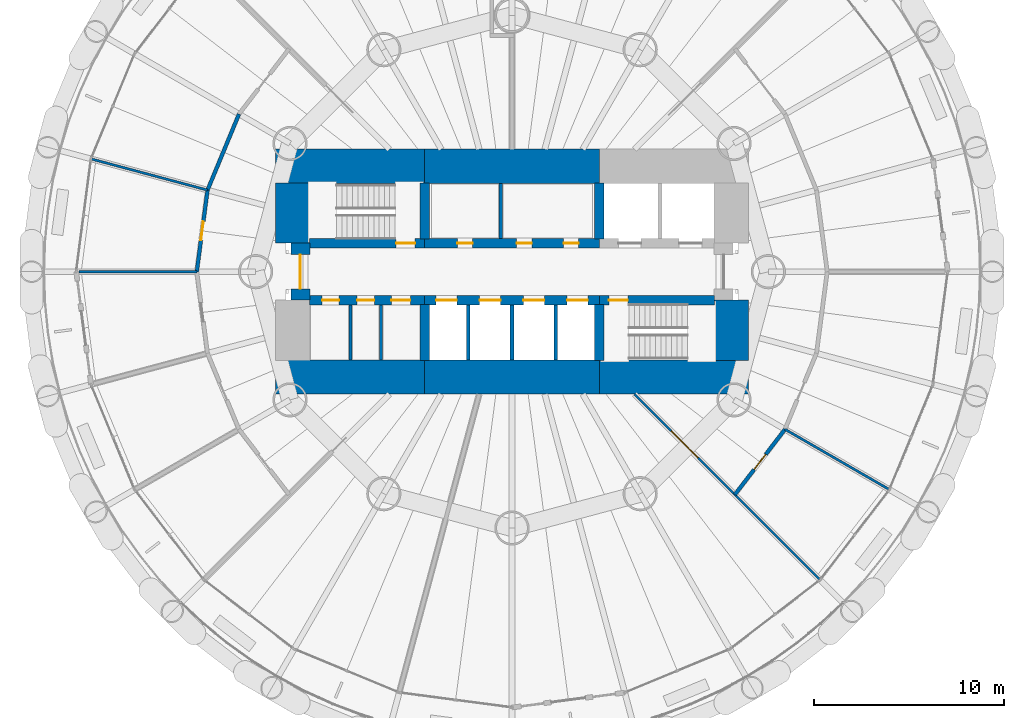
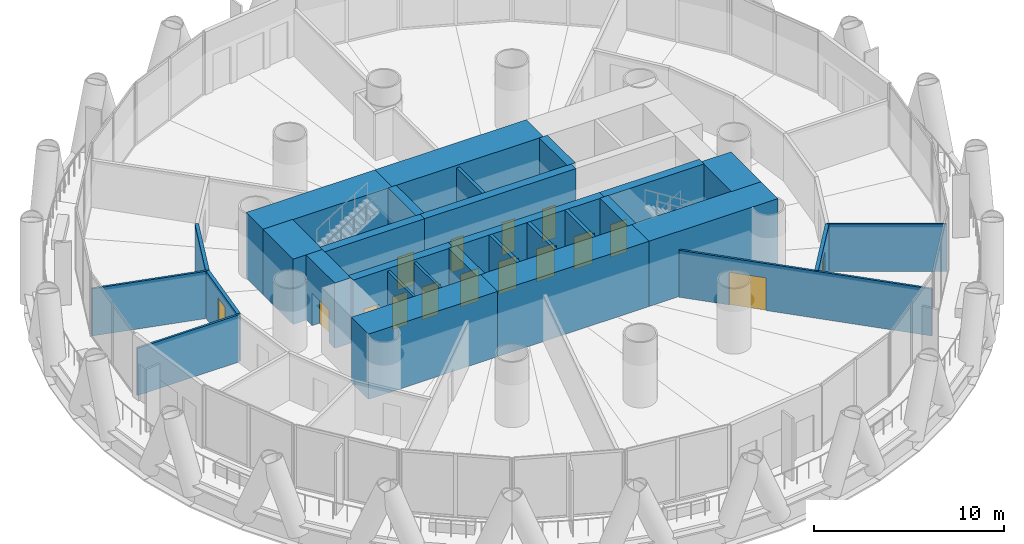
# One storey, part 10 of 16: 30 walls, 16 doors, 16 openings.
"""IFC4 building model written with IfcOpenShell, lengths in metres."""

from ifc_helpers import new_model, si_unit, direction, frame, frame_2d, origin, place, context, subcontext, project, spatial, rectangle, extrude, material, layer, layer_set, type_object, element, fill, save


model = new_model("IFC4")

# Units and contexts
model_context = context("Model", 3, precision=1e-05, world=origin(), true_north=direction((0.0, 1.0)))
body_context = subcontext(model_context, "Body", "Model", "MODEL_VIEW")
ifc_project = project(units=[si_unit("LENGTHUNIT", "METRE"), si_unit("AREAUNIT", "SQUARE_METRE"), si_unit("VOLUMEUNIT", "CUBIC_METRE"), si_unit("PLANEANGLEUNIT", "RADIAN"), si_unit("MASSUNIT", "GRAM", prefix="KILO")], contexts=[model_context])

# Site, building, storey
site_placement = place(None, origin())
site = spatial("IfcSite", under=ifc_project, at=site_placement, CompositionType="ELEMENT")
building_placement = place(site_placement, origin())
building = spatial("IfcBuilding", under=site, at=building_placement, Name="Qaws Media Tower", CompositionType="ELEMENT")
storey_placement = place(building_placement, frame((0.0, 0.0, 105.800048828125)))
storey = spatial("IfcBuildingStorey", under=building, at=storey_placement, Name="L23", CompositionType="ELEMENT", Elevation=105.800048828125)

# Wall, opening, door
ifc_material_1 = material(Name="Concrete C60/75", Category="concrete")
ifc_layer_1 = layer(ifc_material_1, 0.5)
ifc_layer_set_1 = layer_set([ifc_layer_1], Name="Core inner wall 500")
wall_type_1 = type_object("IfcWallType", Name="Core inner wall 500", PredefinedType="SHEAR", material=ifc_layer_set_1)
wall_1_placement = place(storey_placement, frame((49.330078125, 51.5, 0.0), z_axis=(0.0, 0.0, 1.0), x_axis=(1.0, 0.0, 0.0)))
wall_1 = element("IfcWall", 1, at=wall_1_placement, inside=storey, type_object=wall_type_1, Name="W339 SW12 core wall SPNW L23", PredefinedType="SHEAR", context=body_context, shape_type="SweptSolid", body=[
    extrude(rectangle(XDim=6.06982421875, YDim=0.5, at=frame_2d((3.034912109375, 0.0))), origin(), (0.0, 0.0, 1.0), 4.199951171875),
])
opening_1_placement = place(wall_1_placement, frame((4.570068359375, 0.0, 0.0)))
opening_1 = element("IfcOpeningElement", 2, at=opening_1_placement, cuts=wall_1, Name="Opening D1", PredefinedType="OPENING", context=body_context, shape_type="SweptSolid", body=[
    extrude(rectangle(XDim=1.0, YDim=2.10009765625, at=frame_2d((0.5, 1.050048828125))), frame((0.0, 0.260009765625, 0.0), z_axis=(0.0, -1.0, 0.0), x_axis=(1.0, 0.0, 0.0)), (0.0, 0.0, 1.0), 0.52001953125),
])
ifc_material_2 = material(Name="Steel, fire rated", Category="steel")
door_type_1 = type_object("IfcDoorType", Name="Stair door 1000 FD120", OperationType="SINGLE_SWING_LEFT", PredefinedType="DOOR", material=ifc_material_2)
door_1_placement = place(opening_1_placement, origin())
door_1 = element("IfcDoor", 3, at=door_1_placement, inside=storey, type_object=door_type_1, Name="D1 stair S1 door L23 in wall W339", OperationType="SINGLE_SWING_LEFT", OverallHeight=2.10009765625, OverallWidth=1.0, PredefinedType="DOOR", context=body_context, shape_type="SweptSolid", body=[
    extrude(rectangle(XDim=1.0, YDim=2.10009765625, at=frame_2d((0.5, 1.050048828125))), frame((0.0, 0.02490234375, 0.0), z_axis=(0.0, -1.0, 0.0), x_axis=(1.0, 0.0, 0.0)), (0.0, 0.0, 1.0), 0.050048828125),
])
fill(opening_1, door_1)

# Wall, openings, doors
wall_2_placement = place(storey_placement, frame((55.39990234375, 51.5, 0.0), z_axis=(0.0, 0.0, 1.0), x_axis=(1.0, 0.0, 0.0)))
wall_2 = element("IfcWall", 4, at=wall_2_placement, inside=storey, type_object=wall_type_1, Name="W332 SW12 core wall SPN L23", PredefinedType="SHEAR", context=body_context, shape_type="SweptSolid", body=[
    extrude(rectangle(XDim=9.2001953125, YDim=0.5, at=frame_2d((4.60009765625, 0.0))), origin(), (0.0, 0.0, 1.0), 4.199951171875),
])
opening_2_placement = place(wall_2_placement, frame((1.728515625, 0.0, 0.0)))
opening_2 = element("IfcOpeningElement", 5, at=opening_2_placement, cuts=wall_2, Name="Opening D23", PredefinedType="OPENING", context=body_context, shape_type="SweptSolid", body=[
    extrude(rectangle(XDim=0.800048828125, YDim=2.10009765625, at=frame_2d((0.39990234375, 1.050048828125))), frame((0.0, 0.260009765625, 0.0), z_axis=(0.0, -1.0, 0.0), x_axis=(1.0, 0.0, 0.0)), (0.0, 0.0, 1.0), 0.52001953125),
])
opening_3_placement = place(wall_2_placement, frame((4.842529296875, 0.0, 0.0)))
opening_3 = element("IfcOpeningElement", 6, at=opening_3_placement, cuts=wall_2, Name="Opening D23", PredefinedType="OPENING", context=body_context, shape_type="SweptSolid", body=[
    extrude(rectangle(XDim=0.800048828125, YDim=2.10009765625, at=frame_2d((0.39990234375, 1.050048828125))), frame((0.0, 0.260009765625, 0.0), z_axis=(0.0, -1.0, 0.0), x_axis=(1.0, 0.0, 0.0)), (0.0, 0.0, 1.0), 0.52001953125),
])
opening_4_placement = place(wall_2_placement, frame((7.314208984375, 0.0, 0.0)))
opening_4 = element("IfcOpeningElement", 7, at=opening_4_placement, cuts=wall_2, Name="Opening D23", PredefinedType="OPENING", context=body_context, shape_type="SweptSolid", body=[
    extrude(rectangle(XDim=0.800048828125, YDim=2.10009765625, at=frame_2d((0.39990234375, 1.050048828125))), frame((0.0, 0.260009765625, 0.0), z_axis=(0.0, -1.0, 0.0), x_axis=(1.0, 0.0, 0.0)), (0.0, 0.0, 1.0), 0.52001953125),
])
ifc_material_3 = material(Name="Steel, fire rated", Category="steel")
door_type_2 = type_object("IfcDoorType", Name="Core room door 800x2100", OperationType="SINGLE_SWING_LEFT", PredefinedType="DOOR", material=ifc_material_3)
door_2_placement = place(opening_2_placement, origin())
door_2 = element("IfcDoor", 8, at=door_2_placement, inside=storey, type_object=door_type_2, Name="D23 Gents toilets door L23 in wall W332", OperationType="SINGLE_SWING_LEFT", OverallHeight=2.10009765625, OverallWidth=0.800048828125, PredefinedType="DOOR", context=body_context, shape_type="SweptSolid", body=[
    extrude(rectangle(XDim=0.800048828125, YDim=2.10009765625, at=frame_2d((0.39990234375, 1.050048828125))), frame((0.0, 0.02490234375, 0.0), z_axis=(0.0, -1.0, 0.0), x_axis=(1.0, 0.0, 0.0)), (0.0, 0.0, 1.0), 0.050048828125),
])
fill(opening_2, door_2)
door_3_placement = place(opening_3_placement, origin())
door_3 = element("IfcDoor", 9, at=door_3_placement, inside=storey, type_object=door_type_2, Name="D23 Ladies toilets door L23 2 in wall W332", OperationType="SINGLE_SWING_LEFT", OverallHeight=2.10009765625, OverallWidth=0.800048828125, PredefinedType="DOOR", context=body_context, shape_type="SweptSolid", body=[
    extrude(rectangle(XDim=0.800048828125, YDim=2.10009765625, at=frame_2d((0.39990234375, 1.050048828125))), frame((0.0, 0.02490234375, 0.0), z_axis=(0.0, -1.0, 0.0), x_axis=(1.0, 0.0, 0.0)), (0.0, 0.0, 1.0), 0.050048828125),
])
fill(opening_3, door_3)
door_4_placement = place(opening_4_placement, origin())
door_4 = element("IfcDoor", 10, at=door_4_placement, inside=storey, type_object=door_type_2, Name="D23 Ladies toilets door L23 3 in wall W332", OperationType="SINGLE_SWING_LEFT", OverallHeight=2.10009765625, OverallWidth=0.800048828125, PredefinedType="DOOR", context=body_context, shape_type="SweptSolid", body=[
    extrude(rectangle(XDim=0.800048828125, YDim=2.10009765625, at=frame_2d((0.39990234375, 1.050048828125))), frame((0.0, 0.02490234375, 0.0), z_axis=(0.0, -1.0, 0.0), x_axis=(1.0, 0.0, 0.0)), (0.0, 0.0, 1.0), 0.050048828125),
])
fill(opening_4, door_4)

wall_3_placement = place(storey_placement, frame((49.330078125, 48.5, 0.0), z_axis=(0.0, 0.0, 1.0), x_axis=(1.0, 0.0, 0.0)))
wall_3 = element("IfcWall", 11, at=wall_3_placement, inside=storey, type_object=wall_type_1, Name="W338 SW12 core wall SPSW L23", PredefinedType="SHEAR", context=body_context, shape_type="SweptSolid", body=[
    extrude(rectangle(XDim=6.06982421875, YDim=0.5, at=frame_2d((3.034912109375, 0.0))), origin(), (0.0, 0.0, 1.0), 4.199951171875),
])
opening_5_placement = place(wall_3_placement, frame((0.669921875, 0.0, 0.0)))
opening_5 = element("IfcOpeningElement", 12, at=opening_5_placement, cuts=wall_3, Name="Opening D3", PredefinedType="OPENING", context=body_context, shape_type="SweptSolid", body=[
    extrude(rectangle(XDim=0.89990234375, YDim=2.10009765625, at=frame_2d((0.449951171875, 1.050048828125))), frame((0.0, 0.260009765625, 0.0), z_axis=(0.0, -1.0, 0.0), x_axis=(1.0, 0.0, 0.0)), (0.0, 0.0, 1.0), 0.52001953125),
])
opening_6_placement = place(wall_3_placement, frame((2.52001953125, 0.0, 0.0)))
opening_6 = element("IfcOpeningElement", 13, at=opening_6_placement, cuts=wall_3, Name="Opening D25", PredefinedType="OPENING", context=body_context, shape_type="SweptSolid", body=[
    extrude(rectangle(XDim=0.89990234375, YDim=2.10009765625, at=frame_2d((0.449951171875, 1.050048828125))), frame((0.0, 0.260009765625, 0.0), z_axis=(0.0, -1.0, 0.0), x_axis=(1.0, 0.0, 0.0)), (0.0, 0.0, 1.0), 0.52001953125),
])
opening_7_placement = place(wall_3_placement, frame((4.320068359375, 0.0, 0.0)))
opening_7 = element("IfcOpeningElement", 14, at=opening_7_placement, cuts=wall_3, Name="Opening D4", PredefinedType="OPENING", context=body_context, shape_type="SweptSolid", body=[
    extrude(rectangle(XDim=1.0, YDim=2.10009765625, at=frame_2d((0.5, 1.050048828125))), frame((0.0, 0.260009765625, 0.0), z_axis=(0.0, -1.0, 0.0), x_axis=(1.0, 0.0, 0.0)), (0.0, 0.0, 1.0), 0.52001953125),
])
ifc_material_4 = material(Name="Timber veneered", Category="wood")
door_type_3 = type_object("IfcDoorType", Name="Accessible WC door 1000", OperationType="SLIDING_TO_LEFT", PredefinedType="DOOR", material=ifc_material_4)
door_5_placement = place(opening_7_placement, origin())
door_5 = element("IfcDoor", 15, at=door_5_placement, inside=storey, type_object=door_type_3, Name="D4 toilet door 3 L23 in wall W338", OperationType="SLIDING_TO_LEFT", OverallHeight=2.10009765625, OverallWidth=1.0, PredefinedType="DOOR", context=body_context, shape_type="SweptSolid", body=[
    extrude(rectangle(XDim=1.0, YDim=2.10009765625, at=frame_2d((0.5, 1.050048828125))), frame((0.0, 0.02490234375, 0.0), z_axis=(0.0, -1.0, 0.0), x_axis=(1.0, 0.0, 0.0)), (0.0, 0.0, 1.0), 0.050048828125),
])
fill(opening_7, door_5)
ifc_material_5 = material(Name="Steel, fire rated", Category="steel")
door_type_4 = type_object("IfcDoorType", Name="Core service door 900", OperationType="SINGLE_SWING_RIGHT", PredefinedType="DOOR", material=ifc_material_5)
door_6_placement = place(opening_6_placement, origin())
door_6 = element("IfcDoor", 16, at=door_6_placement, inside=storey, type_object=door_type_4, Name="D25 toilet door 2 L23 in wall W338", OperationType="SINGLE_SWING_RIGHT", OverallHeight=2.10009765625, OverallWidth=0.89990234375, PredefinedType="DOOR", context=body_context, shape_type="SweptSolid", body=[
    extrude(rectangle(XDim=0.89990234375, YDim=2.10009765625, at=frame_2d((0.449951171875, 1.050048828125))), frame((0.0, 0.02490234375, 0.0), z_axis=(0.0, -1.0, 0.0), x_axis=(1.0, 0.0, 0.0)), (0.0, 0.0, 1.0), 0.050048828125),
])
fill(opening_6, door_6)
ifc_material_6 = material(Name="Timber veneered", Category="wood")
door_type_5 = type_object("IfcDoorType", Name="Toilet door 900", OperationType="SINGLE_SWING_RIGHT", PredefinedType="DOOR", material=ifc_material_6)
door_7_placement = place(opening_5_placement, origin())
door_7 = element("IfcDoor", 17, at=door_7_placement, inside=storey, type_object=door_type_5, Name="D3 toilet door 1 L23 in wall W338", OperationType="SINGLE_SWING_RIGHT", OverallHeight=2.10009765625, OverallWidth=0.89990234375, PredefinedType="DOOR", context=body_context, shape_type="SweptSolid", body=[
    extrude(rectangle(XDim=0.89990234375, YDim=2.10009765625, at=frame_2d((0.449951171875, 1.050048828125))), frame((0.0, 0.02490234375, 0.0), z_axis=(0.0, -1.0, 0.0), x_axis=(1.0, 0.0, 0.0)), (0.0, 0.0, 1.0), 0.050048828125),
])
fill(opening_5, door_7)

wall_4_placement = place(storey_placement, frame((55.39990234375, 48.5, 0.0), z_axis=(0.0, 0.0, 1.0), x_axis=(1.0, 0.0, 0.0)))
wall_4 = element("IfcWall", 18, at=wall_4_placement, inside=storey, type_object=wall_type_1, Name="W331 SW12 core wall SPS L23", PredefinedType="SHEAR", context=body_context, shape_type="SweptSolid", body=[
    extrude(rectangle(XDim=9.2001953125, YDim=0.5, at=frame_2d((4.60009765625, 0.0))), origin(), (0.0, 0.0, 1.0), 4.199951171875),
])
opening_8_placement = place(wall_4_placement, frame((0.60009765625, 0.0, 0.0)))
opening_8 = element("IfcOpeningElement", 19, at=opening_8_placement, cuts=wall_4, Name="Opening LD", PredefinedType="OPENING", context=body_context, shape_type="SweptSolid", body=[
    extrude(rectangle(XDim=1.10009765625, YDim=2.10009765625, at=frame_2d((0.550048828125, 1.050048828125))), frame((0.0, 0.260009765625, 0.0), z_axis=(0.0, -1.0, 0.0), x_axis=(1.0, 0.0, 0.0)), (0.0, 0.0, 1.0), 0.52001953125),
])
opening_9_placement = place(wall_4_placement, frame((2.89990234375, 0.0, 0.0)))
opening_9 = element("IfcOpeningElement", 20, at=opening_9_placement, cuts=wall_4, Name="Opening LD", PredefinedType="OPENING", context=body_context, shape_type="SweptSolid", body=[
    extrude(rectangle(XDim=1.10009765625, YDim=2.10009765625, at=frame_2d((0.550048828125, 1.050048828125))), frame((0.0, 0.260009765625, 0.0), z_axis=(0.0, -1.0, 0.0), x_axis=(1.0, 0.0, 0.0)), (0.0, 0.0, 1.0), 0.52001953125),
])
opening_10_placement = place(wall_4_placement, frame((5.199951171875, 0.0, 0.0)))
opening_10 = element("IfcOpeningElement", 21, at=opening_10_placement, cuts=wall_4, Name="Opening LD", PredefinedType="OPENING", context=body_context, shape_type="SweptSolid", body=[
    extrude(rectangle(XDim=1.10009765625, YDim=2.10009765625, at=frame_2d((0.550048828125, 1.050048828125))), frame((0.0, 0.260009765625, 0.0), z_axis=(0.0, -1.0, 0.0), x_axis=(1.0, 0.0, 0.0)), (0.0, 0.0, 1.0), 0.52001953125),
])
opening_11_placement = place(wall_4_placement, frame((7.5, 0.0, 0.0)))
opening_11 = element("IfcOpeningElement", 22, at=opening_11_placement, cuts=wall_4, Name="Opening LD", PredefinedType="OPENING", context=body_context, shape_type="SweptSolid", body=[
    extrude(rectangle(XDim=1.10009765625, YDim=2.10009765625, at=frame_2d((0.550048828125, 1.050048828125))), frame((0.0, 0.260009765625, 0.0), z_axis=(0.0, -1.0, 0.0), x_axis=(1.0, 0.0, 0.0)), (0.0, 0.0, 1.0), 0.52001953125),
])
ifc_material_7 = material(Name="Steel, fire rated", Category="steel")
door_type_6 = type_object("IfcDoorType", Name="Lift landing door 1100", OperationType="SLIDING_TO_LEFT", PredefinedType="DOOR", material=ifc_material_7)
door_8_placement = place(opening_8_placement, origin())
door_8 = element("IfcDoor", 23, at=door_8_placement, inside=storey, type_object=door_type_6, Name="P5 landing door L23 in wall W331", OperationType="SLIDING_TO_LEFT", OverallHeight=2.10009765625, OverallWidth=1.10009765625, PredefinedType="DOOR", context=body_context, shape_type="SweptSolid", body=[
    extrude(rectangle(XDim=1.10009765625, YDim=2.10009765625, at=frame_2d((0.550048828125, 1.050048828125))), frame((0.0, 0.02490234375, 0.0), z_axis=(0.0, -1.0, 0.0), x_axis=(1.0, 0.0, 0.0)), (0.0, 0.0, 1.0), 0.050048828125),
])
fill(opening_8, door_8)
door_9_placement = place(opening_9_placement, origin())
door_9 = element("IfcDoor", 24, at=door_9_placement, inside=storey, type_object=door_type_6, Name="P6 landing door L23 in wall W331", OperationType="SLIDING_TO_LEFT", OverallHeight=2.10009765625, OverallWidth=1.10009765625, PredefinedType="DOOR", context=body_context, shape_type="SweptSolid", body=[
    extrude(rectangle(XDim=1.10009765625, YDim=2.10009765625, at=frame_2d((0.550048828125, 1.050048828125))), frame((0.0, 0.02490234375, 0.0), z_axis=(0.0, -1.0, 0.0), x_axis=(1.0, 0.0, 0.0)), (0.0, 0.0, 1.0), 0.050048828125),
])
fill(opening_9, door_9)
door_10_placement = place(opening_10_placement, origin())
door_10 = element("IfcDoor", 25, at=door_10_placement, inside=storey, type_object=door_type_6, Name="P7 landing door L23 in wall W331", OperationType="SLIDING_TO_LEFT", OverallHeight=2.10009765625, OverallWidth=1.10009765625, PredefinedType="DOOR", context=body_context, shape_type="SweptSolid", body=[
    extrude(rectangle(XDim=1.10009765625, YDim=2.10009765625, at=frame_2d((0.550048828125, 1.050048828125))), frame((0.0, 0.02490234375, 0.0), z_axis=(0.0, -1.0, 0.0), x_axis=(1.0, 0.0, 0.0)), (0.0, 0.0, 1.0), 0.050048828125),
])
fill(opening_10, door_10)
door_11_placement = place(opening_11_placement, origin())
door_11 = element("IfcDoor", 26, at=door_11_placement, inside=storey, type_object=door_type_6, Name="P8 landing door L23 in wall W331", OperationType="SLIDING_TO_LEFT", OverallHeight=2.10009765625, OverallWidth=1.10009765625, PredefinedType="DOOR", context=body_context, shape_type="SweptSolid", body=[
    extrude(rectangle(XDim=1.10009765625, YDim=2.10009765625, at=frame_2d((0.550048828125, 1.050048828125))), frame((0.0, 0.02490234375, 0.0), z_axis=(0.0, -1.0, 0.0), x_axis=(1.0, 0.0, 0.0)), (0.0, 0.0, 1.0), 0.050048828125),
])
fill(opening_11, door_11)

# Wall, opening, door
wall_5_placement = place(storey_placement, frame((64.60009765625, 48.5, 0.0), z_axis=(0.0, 0.0, 1.0), x_axis=(1.0, 0.0, 0.0)))
wall_5 = element("IfcWall", 27, at=wall_5_placement, inside=storey, type_object=wall_type_1, Name="W343 SW12 core wall SPSE L23", PredefinedType="SHEAR", context=body_context, shape_type="SweptSolid", body=[
    extrude(rectangle(XDim=6.06982421875, YDim=0.5, at=frame_2d((3.034912109375, 0.0))), origin(), (0.0, 0.0, 1.0), 4.199951171875),
])
opening_12_placement = place(wall_5_placement, frame((0.5, 0.0, 0.0)))
opening_12 = element("IfcOpeningElement", 28, at=opening_12_placement, cuts=wall_5, Name="Opening D1", PredefinedType="OPENING", context=body_context, shape_type="SweptSolid", body=[
    extrude(rectangle(XDim=1.0, YDim=2.10009765625, at=frame_2d((0.5, 1.050048828125))), frame((0.0, 0.260009765625, 0.0), z_axis=(0.0, -1.0, 0.0), x_axis=(1.0, 0.0, 0.0)), (0.0, 0.0, 1.0), 0.52001953125),
])
door_12_placement = place(opening_12_placement, origin())
door_12 = element("IfcDoor", 29, at=door_12_placement, inside=storey, type_object=door_type_1, Name="D1 stair S2 door L23 in wall W343", OperationType="SINGLE_SWING_LEFT", OverallHeight=2.10009765625, OverallWidth=1.0, PredefinedType="DOOR", context=body_context, shape_type="SweptSolid", body=[
    extrude(rectangle(XDim=1.0, YDim=2.10009765625, at=frame_2d((0.5, 1.050048828125))), frame((0.0, 0.02490234375, 0.0), z_axis=(0.0, -1.0, 0.0), x_axis=(1.0, 0.0, 0.0)), (0.0, 0.0, 1.0), 0.050048828125),
])
fill(opening_12, door_12)

# Walls
for number, where, z_axis, x_axis, name in (
    (30, (55.39990234375, 51.72998046875, 0.0), (0.0, 0.0, 1.0), (0.0, 1.0, 0.0), "W341 SW12 core wall XNW L23"),
    (31, (64.60009765625, 51.72998046875, 0.0), (0.0, 0.0, 1.0), (0.0, 1.0, 0.0), "W345 SW12 core wall XNE L23"),
    (32, (55.39990234375, 48.27001953125, 0.0), (0.0, 0.0, 1.0), (0.0, -1.0, 0.0), "W340 SW12 core wall XSW L23"),
    (33, (64.60009765625, 48.27001953125, 0.0), (0.0, 0.0, 1.0), (0.0, -1.0, 0.0), "W342 SW12 core wall XSE L23"),
):
    element("IfcWall", number, at=place(storey_placement, frame(where, z_axis=z_axis, x_axis=x_axis)), inside=storey, type_object=wall_type_1, Name=name, PredefinedType="SHEAR", context=body_context, shape_type="SweptSolid", body=[
        extrude(rectangle(XDim=2.93994140625, YDim=0.5, at=frame_2d((1.469970703125, 0.0))), origin(), (0.0, 0.0, 1.0), 4.199951171875),
    ])

# Wall, opening, door
ifc_material_8 = material(Name="Concrete C60/75", Category="concrete")
ifc_layer_2 = layer(ifc_material_8, 1.0)
ifc_layer_set_2 = layer_set([ifc_layer_2], Name="Core wall 1000")
wall_type_2 = type_object("IfcWallType", Name="Core wall 1000", PredefinedType="SHEAR", material=ifc_layer_set_2)
wall_6_placement = place(storey_placement, frame((48.85009765625, 48.5, 0.0), z_axis=(0.0, 0.0, 1.0), x_axis=(0.0, 1.0, 0.0)))
wall_6 = element("IfcWall", 34, at=wall_6_placement, inside=storey, type_object=wall_type_2, Name="W366 SW8 core wall W L23", PredefinedType="SHEAR", context=body_context, shape_type="SweptSolid", body=[
    extrude(rectangle(XDim=3.0, YDim=1.0, at=frame_2d((1.5, 0.0))), origin(), (0.0, 0.0, 1.0), 4.199951171875),
])
opening_13_placement = place(wall_6_placement, frame((0.60009765625, 0.0, 0.0)))
opening_13 = element("IfcOpeningElement", 35, at=opening_13_placement, cuts=wall_6, Name="Opening D2", PredefinedType="OPENING", context=body_context, shape_type="SweptSolid", body=[
    extrude(rectangle(XDim=1.800048828125, YDim=2.10009765625, at=frame_2d((0.89990234375, 1.050048828125))), frame((0.0, 0.510009765625, 0.0), z_axis=(0.0, -1.0, 0.0), x_axis=(1.0, 0.0, 0.0)), (0.0, 0.0, 1.0), 1.02001953125),
])
ifc_material_9 = material(Name="Steel and glass, fire rated", Category="steel")
door_type_7 = type_object("IfcDoorType", Name="Lobby door pair 1800 FD60", OperationType="DOUBLE_DOOR_DOUBLE_SWING", PredefinedType="DOOR", material=ifc_material_9)
door_13_placement = place(opening_13_placement, origin())
door_13 = element("IfcDoor", 36, at=door_13_placement, inside=storey, type_object=door_type_7, Name="D2 core lobby door W L23 in wall W366", OperationType="DOUBLE_DOOR_DOUBLE_SWING", OverallHeight=2.10009765625, OverallWidth=1.800048828125, PredefinedType="DOOR", context=body_context, shape_type="SweptSolid", body=[
    extrude(rectangle(XDim=1.800048828125, YDim=2.10009765625, at=frame_2d((0.89990234375, 1.050048828125))), frame((0.0, 0.02490234375, 0.0), z_axis=(0.0, -1.0, 0.0), x_axis=(1.0, 0.0, 0.0)), (0.0, 0.0, 1.0), 0.050048828125),
])
fill(opening_13, door_13)

# Walls
ifc_material_10 = material(Name="Concrete C60/75", Category="concrete")
ifc_layer_3 = layer(ifc_material_10, 1.800048828125)
ifc_layer_set_3 = layer_set([ifc_layer_3], Name="Core wall 1800")
wall_type_3 = type_object("IfcWallType", Name="Core wall 1800", PredefinedType="SHEAR", material=ifc_layer_set_3)
wall_7_placement = place(storey_placement, frame((47.550048828125, 55.550048828125, 0.0), z_axis=(0.0, 0.0, 1.0), x_axis=(1.0, 0.0, 0.0)))
element("IfcWall", 37, at=wall_7_placement, inside=storey, type_object=wall_type_3, Name="W417 SW11 core wall NW L23", PredefinedType="SHEAR", context=body_context, shape_type="SweptSolid", body=[
    extrude(rectangle(XDim=7.849853515625, YDim=1.800048828125, at=frame_2d((3.9248046875, 0.0))), origin(), (0.0, 0.0, 1.0), 4.199951171875),
])
wall_8_placement = place(storey_placement, frame((55.39990234375, 55.550048828125, 0.0), z_axis=(0.0, 0.0, 1.0), x_axis=(1.0, 0.0, 0.0)))
element("IfcWall", 38, at=wall_8_placement, inside=storey, type_object=wall_type_3, Name="W421 SW11 core wall N L23", PredefinedType="SHEAR", context=body_context, shape_type="SweptSolid", body=[
    extrude(rectangle(XDim=9.2001953125, YDim=1.800048828125, at=frame_2d((4.60009765625, 0.0))), origin(), (0.0, 0.0, 1.0), 4.199951171875),
])
wall_9_placement = place(storey_placement, frame((47.550048828125, 44.449951171875, 0.0), z_axis=(0.0, 0.0, 1.0), x_axis=(1.0, 0.0, 0.0)))
element("IfcWall", 39, at=wall_9_placement, inside=storey, type_object=wall_type_3, Name="W416 SW11 core wall SW L23", PredefinedType="SHEAR", context=body_context, shape_type="SweptSolid", body=[
    extrude(rectangle(XDim=7.849853515625, YDim=1.800048828125, at=frame_2d((3.9248046875, 0.0))), origin(), (0.0, 0.0, 1.0), 4.199951171875),
])
wall_10_placement = place(storey_placement, frame((55.39990234375, 44.449951171875, 0.0), z_axis=(0.0, 0.0, 1.0), x_axis=(1.0, 0.0, 0.0)))
element("IfcWall", 40, at=wall_10_placement, inside=storey, type_object=wall_type_3, Name="W420 SW11 core wall S L23", PredefinedType="SHEAR", context=body_context, shape_type="SweptSolid", body=[
    extrude(rectangle(XDim=9.2001953125, YDim=1.800048828125, at=frame_2d((4.60009765625, 0.0))), origin(), (0.0, 0.0, 1.0), 4.199951171875),
])
wall_11_placement = place(storey_placement, frame((64.60009765625, 44.449951171875, 0.0), z_axis=(0.0, 0.0, 1.0), x_axis=(1.0, 0.0, 0.0)))
element("IfcWall", 41, at=wall_11_placement, inside=storey, type_object=wall_type_3, Name="W422 SW11 core wall SE L23", PredefinedType="SHEAR", context=body_context, shape_type="SweptSolid", body=[
    extrude(rectangle(XDim=7.849853515625, YDim=1.800048828125, at=frame_2d((3.9248046875, 0.0))), origin(), (0.0, 0.0, 1.0), 4.199951171875),
])
for number, where, z_axis, x_axis, name in (
    (42, (71.550048828125, 45.330078125, 0.0), (0.0, 0.0, 1.0), (0.0, 1.0, 0.0), "W424 SW11 core wall ES L23"),
    (43, (48.449951171875, 51.5, 0.0), (0.0, 0.0, 1.0), (0.0, 1.0, 0.0), "W419 SW11 core wall WN L23"),
):
    element("IfcWall", number, at=place(storey_placement, frame(where, z_axis=z_axis, x_axis=x_axis)), inside=storey, type_object=wall_type_3, Name=name, PredefinedType="SHEAR", context=body_context, shape_type="SweptSolid", body=[
        extrude(rectangle(XDim=3.169921875, YDim=1.800048828125, at=frame_2d((1.5849609375, 0.0))), origin(), (0.0, 0.0, 1.0), 4.199951171875),
    ])
ifc_material_11 = material(Name="Two layers gypsum board each side on 75 studs, insulated", Category="gypsum")
ifc_layer_4 = layer(ifc_material_11, 0.125)
ifc_layer_set_4 = layer_set([ifc_layer_4], Name="Meeting room partition 125 Rw 48")
wall_type_4 = type_object("IfcWallType", Name="Meeting room partition 125 Rw 48", PredefinedType="PARTITIONING", material=ifc_layer_set_4)
wall_12_placement = place(storey_placement, frame((43.965576171875, 54.29638671875, 0.0), z_axis=(0.0, 0.0, 1.0), x_axis=(-0.965929227068, 0.258806352888, 0.0)))
element("IfcWall", 44, at=wall_12_placement, inside=storey, type_object=wall_type_4, Name="W537 IW5 partition L23", PredefinedType="PARTITIONING", context=body_context, shape_type="SweptSolid", body=[
    extrude(rectangle(XDim=6.31005859375, YDim=0.125, at=frame_2d((3.155029296875, 0.0))), origin(), (0.0, 0.0, 1.0), 3.0400390625),
])
wall_13_placement = place(storey_placement, frame((43.39990234375, 50.0, 0.0), z_axis=(0.0, 0.0, 1.0), x_axis=(-1.0, 0.0, 0.0)))
element("IfcWall", 45, at=wall_13_placement, inside=storey, type_object=wall_type_4, Name="W536 IW5 partition L23", PredefinedType="PARTITIONING", context=body_context, shape_type="SweptSolid", body=[
    extrude(rectangle(XDim=6.2099609375, YDim=0.125, at=frame_2d((3.10498046875, 0.0))), origin(), (0.0, 0.0, 1.0), 3.0400390625),
])

# Wall, opening, door
wall_14_placement = place(storey_placement, frame((66.449951171875, 43.550048828125, 0.0), z_axis=(0.0, 0.0, 1.0), x_axis=(0.707106781187, -0.707106781187, 0.0)))
wall_14 = element("IfcWall", 46, at=wall_14_placement, inside=storey, type_object=wall_type_4, Name="W538 IW5 partition L23", PredefinedType="PARTITIONING", context=body_context, shape_type="SweptSolid", body=[
    extrude(rectangle(XDim=13.788330078125, YDim=0.125, at=frame_2d((6.89404296875, 0.0))), origin(), (0.0, 0.0, 1.0), 3.02001953125),
])
opening_14_placement = place(wall_14_placement, frame((2.7392578125, 0.0, 0.0)))
opening_14 = element("IfcOpeningElement", 47, at=opening_14_placement, cuts=wall_14, Name="Opening D6", PredefinedType="OPENING", context=body_context, shape_type="SweptSolid", body=[
    extrude(rectangle(XDim=2.0, YDim=2.10009765625, at=frame_2d((1.0, 1.050048828125))), frame((0.0, 0.072509765625, 0.0), z_axis=(0.0, -1.0, 0.0), x_axis=(1.0, 0.0, 0.0)), (0.0, 0.0, 1.0), 0.14501953125),
])
ifc_material_12 = material(Name="Steel, acoustic, fire rated", Category="steel")
door_type_8 = type_object("IfcDoorType", Name="Room door pair 2000", OperationType="DOUBLE_DOOR_DOUBLE_SWING", PredefinedType="DOOR", material=ifc_material_12)
door_14_placement = place(opening_14_placement, origin())
door_14 = element("IfcDoor", 48, at=door_14_placement, inside=storey, type_object=door_type_8, Name="D6 Staff clinic door L23 in wall W538", OperationType="DOUBLE_DOOR_DOUBLE_SWING", OverallHeight=2.10009765625, OverallWidth=2.0, PredefinedType="DOOR", context=body_context, shape_type="SweptSolid", body=[
    extrude(rectangle(XDim=2.0, YDim=2.10009765625, at=frame_2d((1.0, 1.050048828125))), frame((0.0, 0.02490234375, 0.0), z_axis=(0.0, -1.0, 0.0), x_axis=(1.0, 0.0, 0.0)), (0.0, 0.0, 1.0), 0.050048828125),
])
fill(opening_14, door_14)

# Wall
wall_15_placement = place(storey_placement, frame((74.3759765625, 41.699951171875, 0.0), z_axis=(0.0, 0.0, 1.0), x_axis=(0.866022573651, -0.500004901903, 0.0)))
element("IfcWall", 49, at=wall_15_placement, inside=storey, type_object=wall_type_4, Name="W539 IW5 partition L23", PredefinedType="PARTITIONING", context=body_context, shape_type="SweptSolid", body=[
    extrude(rectangle(XDim=6.31005859375, YDim=0.125, at=frame_2d((3.155029296875, 0.0))), origin(), (0.0, 0.0, 1.0), 3.0400390625),
])

# Wall, opening, door
ifc_material_13 = material(Name="Gypsum board on galvanised metal studs, acoustic double stud, deflection head", Category="gypsum")
ifc_layer_5 = layer(ifc_material_13, 0.199951171875)
ifc_layer_set_5 = layer_set([ifc_layer_5], Name="Room partition 200")
wall_type_5 = type_object("IfcWallType", Name="Room partition 200", PredefinedType="PARTITIONING", material=ifc_layer_set_5)
wall_16_placement = place(storey_placement, frame((43.39990234375, 50.0, 0.0), z_axis=(0.0, 0.0, 1.0), x_axis=(0.130536124221, 0.99144355375, 0.0)))
wall_16 = element("IfcWall", 50, at=wall_16_placement, inside=storey, type_object=wall_type_5, Name="W985 IW3 partition L23", PredefinedType="PARTITIONING", context=body_context, shape_type="SweptSolid", body=[
    extrude(rectangle(XDim=4.33349609375, YDim=0.199951171875, at=frame_2d((2.166748046875, 0.0))), origin(), (0.0, 0.0, 1.0), 3.0400390625),
])
opening_15_placement = place(wall_16_placement, frame((1.666748046875, 0.0, 0.0)))
opening_15 = element("IfcOpeningElement", 51, at=opening_15_placement, cuts=wall_16, Name="Opening D13", PredefinedType="OPENING", context=body_context, shape_type="SweptSolid", body=[
    extrude(rectangle(XDim=1.0, YDim=2.39990234375, at=frame_2d((0.5, 1.199951171875))), frame((0.0, 0.10986328125, 0.0), z_axis=(0.0, -1.0, 0.0), x_axis=(1.0, 0.0, 0.0)), (0.0, 0.0, 1.0), 0.219970703125),
])
ifc_material_14 = material(Name="Frameless toughened glass, acoustic seals", Category="glass")
door_type_9 = type_object("IfcDoorType", Name="Glazed meeting room door 1000x2400", OperationType="SINGLE_SWING_LEFT", PredefinedType="DOOR", material=ifc_material_14)
door_15_placement = place(opening_15_placement, origin())
door_15 = element("IfcDoor", 52, at=door_15_placement, inside=storey, type_object=door_type_9, Name="D13 Prayer room (men) door L23 in wall W985", OperationType="SINGLE_SWING_LEFT", OverallHeight=2.39990234375, OverallWidth=1.0, PredefinedType="DOOR", context=body_context, shape_type="SweptSolid", body=[
    extrude(rectangle(XDim=1.0, YDim=2.39990234375, at=frame_2d((0.5, 1.199951171875))), frame((0.0, 0.02490234375, 0.0), z_axis=(0.0, -1.0, 0.0), x_axis=(1.0, 0.0, 0.0)), (0.0, 0.0, 1.0), 0.050048828125),
])
fill(opening_15, door_15)

# Wall
wall_17_placement = place(storey_placement, frame((43.965576171875, 54.29638671875, 0.0), z_axis=(0.0, 0.0, 1.0), x_axis=(0.382698425325, 0.923873322082, 0.0)))
element("IfcWall", 53, at=wall_17_placement, inside=storey, type_object=wall_type_5, Name="W989 IW3 partition L23", PredefinedType="PARTITIONING", context=body_context, shape_type="SweptSolid", body=[
    extrude(rectangle(XDim=4.33349609375, YDim=0.199951171875, at=frame_2d((2.166748046875, 0.0))), origin(), (0.0, 0.0, 1.0), 3.0400390625),
])

# Wall, opening, door
wall_18_placement = place(storey_placement, frame((74.3759765625, 41.699951171875, 0.0), z_axis=(0.0, 0.0, 1.0), x_axis=(-0.60874374674, -0.79336690806, 0.0)))
wall_18 = element("IfcWall", 54, at=wall_18_placement, inside=storey, type_object=wall_type_5, Name="W1013 IW3 partition L23", PredefinedType="PARTITIONING", context=body_context, shape_type="SweptSolid", body=[
    extrude(rectangle(XDim=4.33349609375, YDim=0.199951171875, at=frame_2d((2.166748046875, 0.0))), origin(), (0.0, 0.0, 1.0), 3.0400390625),
])
opening_16_placement = place(wall_18_placement, frame((1.666748046875, 0.0, 0.0)))
opening_16 = element("IfcOpeningElement", 55, at=opening_16_placement, cuts=wall_18, Name="Opening D13", PredefinedType="OPENING", context=body_context, shape_type="SweptSolid", body=[
    extrude(rectangle(XDim=1.0, YDim=2.39990234375, at=frame_2d((0.5, 1.199951171875))), frame((0.0, 0.10986328125, 0.0), z_axis=(0.0, -1.0, 0.0), x_axis=(1.0, 0.0, 0.0)), (0.0, 0.0, 1.0), 0.219970703125),
])
door_16_placement = place(opening_16_placement, origin())
door_16 = element("IfcDoor", 56, at=door_16_placement, inside=storey, type_object=door_type_9, Name="D13 Prayer room (women) door L23 in wall W1013", OperationType="SINGLE_SWING_LEFT", OverallHeight=2.39990234375, OverallWidth=1.0, PredefinedType="DOOR", context=body_context, shape_type="SweptSolid", body=[
    extrude(rectangle(XDim=1.0, YDim=2.39990234375, at=frame_2d((0.5, 1.199951171875))), frame((0.0, 0.02490234375, 0.0), z_axis=(0.0, -1.0, 0.0), x_axis=(1.0, 0.0, 0.0)), (0.0, 0.0, 1.0), 0.050048828125),
])
fill(opening_16, door_16)

# Walls
wall_19_placement = place(storey_placement, frame((59.40673828125, 51.75, 0.0), z_axis=(0.0, 0.0, 1.0), x_axis=(0.0, 1.0, 0.0)))
element("IfcWall", 57, at=wall_19_placement, inside=storey, type_object=wall_type_5, Name="W1207 IW3 core room partition 1 L23", PredefinedType="PARTITIONING", context=body_context, shape_type="SweptSolid", body=[
    extrude(rectangle(XDim=2.89990234375, YDim=0.199951171875, at=frame_2d((1.449951171875, 0.0))), origin(), (0.0, 0.0, 1.0), 4.0400390625),
])
ifc_material_15 = material(Name="Fire-rated gypsum board shaft wall on galvanised metal studs, deflection head", Category="gypsum")
ifc_layer_6 = layer(ifc_material_15, 0.199951171875)
ifc_layer_set_6 = layer_set([ifc_layer_6], Name="Shaft wall 200")
wall_type_6 = type_object("IfcWallType", Name="Shaft wall 200", PredefinedType="PARTITIONING", material=ifc_layer_set_6)
for number, where, z_axis, x_axis, name in (
    (58, (57.699951171875, 45.35009765625, 0.0), (0.0, 0.0, 1.0), (0.0, 1.0, 0.0), "W1853 IW1 shaft wall S1 L23"),
    (59, (60.0, 45.35009765625, 0.0), (0.0, 0.0, 1.0), (0.0, 1.0, 0.0), "W1855 IW1 shaft wall S2 L23"),
    (60, (62.300048828125, 45.35009765625, 0.0), (0.0, 0.0, 1.0), (0.0, 1.0, 0.0), "W1857 IW1 shaft wall S3 L23"),
):
    element("IfcWall", number, at=place(storey_placement, frame(where, z_axis=z_axis, x_axis=x_axis)), inside=storey, type_object=wall_type_6, Name=name, PredefinedType="PARTITIONING", context=body_context, shape_type="SweptSolid", body=[
        extrude(rectangle(XDim=2.89990234375, YDim=0.199951171875, at=frame_2d((1.449951171875, 0.0))), origin(), (0.0, 0.0, 1.0), 4.199951171875),
    ])
ifc_material_16 = material(Name="Gypsum board on galvanised metal studs, deflection head", Category="gypsum")
ifc_layer_7 = layer(ifc_material_16, 0.14990234375)
ifc_layer_set_7 = layer_set([ifc_layer_7], Name="WC partition 150")
wall_type_7 = type_object("IfcWallType", Name="WC partition 150", PredefinedType="PARTITIONING", material=ifc_layer_set_7)
for number, where, z_axis, x_axis, name in (
    (61, (51.5, 45.35009765625, 0.0), (0.0, 0.0, 1.0), (0.0, 1.0, 0.0), "W1909 IW2 toilet partition 1 L23"),
    (62, (53.10009765625, 45.35009765625, 0.0), (0.0, 0.0, 1.0), (0.0, 1.0, 0.0), "W1911 IW2 toilet partition 2 L23"),
):
    element("IfcWall", number, at=place(storey_placement, frame(where, z_axis=z_axis, x_axis=x_axis)), inside=storey, type_object=wall_type_7, Name=name, PredefinedType="PARTITIONING", context=body_context, shape_type="SweptSolid", body=[
        extrude(rectangle(XDim=2.89990234375, YDim=0.14990234375, at=frame_2d((1.449951171875, 0.0))), origin(), (0.0, 0.0, 1.0), 4.0400390625),
    ])

save(model, "model.ifc")
